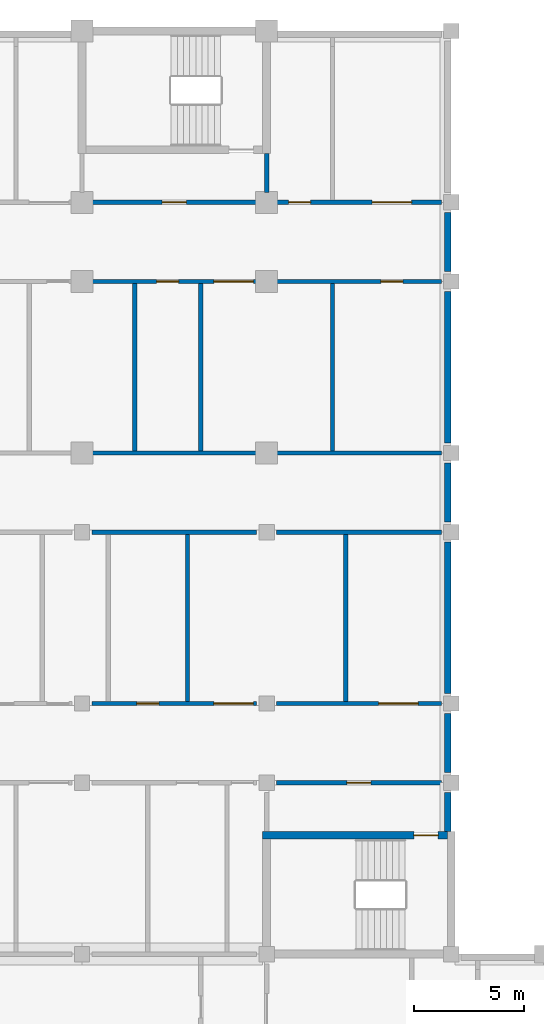
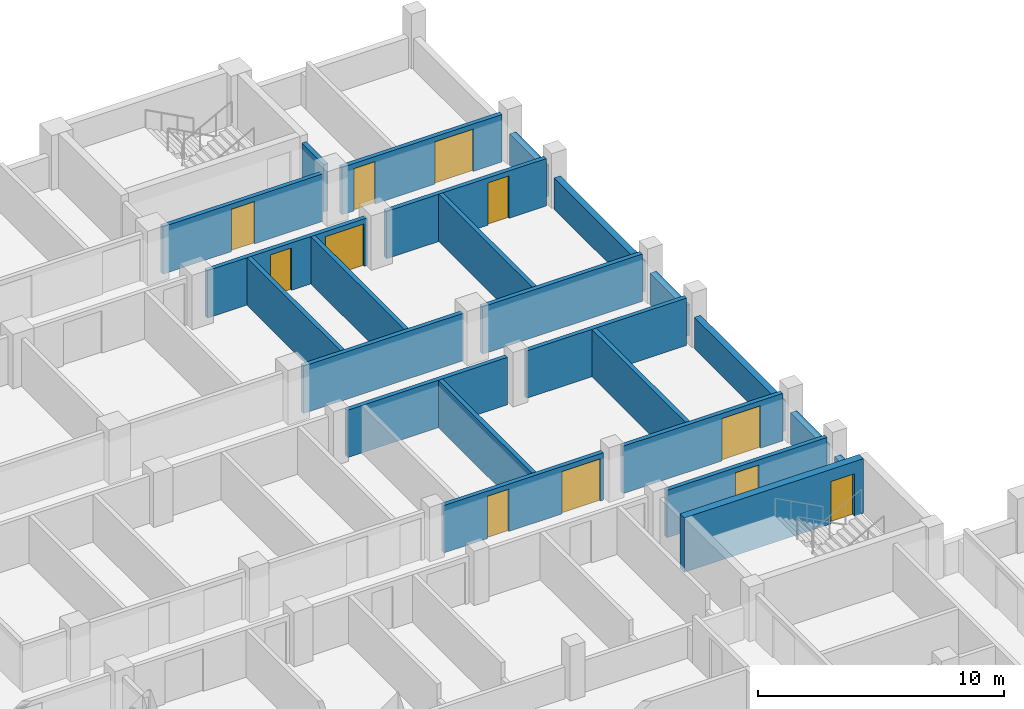
# One storey, part 60 of 89: 24 walls, 11 doors, 11 openings.
"""IFC4 building model written with IfcOpenShell, lengths in metres."""

from ifc_helpers import new_model, si_unit, direction, frame, frame_2d, origin, place, context, subcontext, project, spatial, rectangle, extrude, material, layer, layer_set, type_object, element, fill, save


model = new_model("IFC4")

# Units and contexts
model_context = context("Model", 3, precision=1e-05, world=origin(), true_north=direction((0.0, 1.0)))
body_context = subcontext(model_context, "Body", "Model", "MODEL_VIEW")
ifc_project = project(units=[si_unit("LENGTHUNIT", "METRE"), si_unit("AREAUNIT", "SQUARE_METRE"), si_unit("VOLUMEUNIT", "CUBIC_METRE"), si_unit("PLANEANGLEUNIT", "RADIAN"), si_unit("MASSUNIT", "GRAM", prefix="KILO")], contexts=[model_context])

# Site, building, storey
site_placement = place(None, origin())
site = spatial("IfcSite", under=ifc_project, at=site_placement, CompositionType="ELEMENT")
building_placement = place(site_placement, origin())
building = spatial("IfcBuilding", under=site, at=building_placement, Name="Bougainvillea Quay General Hospital", CompositionType="ELEMENT")
storey_placement = place(building_placement, frame((0.0, 0.0, 9.89990234375)))
storey = spatial("IfcBuildingStorey", under=building, at=storey_placement, Name="L01M", CompositionType="ELEMENT", Elevation=9.89990234375)

# Walls
ifc_material_1 = material(Name="Pale stone rainscreen cladding on insulated masonry backing, pale stone", Category="masonry")
ifc_layer_1 = layer(ifc_material_1, 0.300048828125)
ifc_layer_set_1 = layer_set([ifc_layer_1], Name="Pale stone rainscreen cladding on insulated masonry backing, pale stone")
wall_type_1 = type_object("IfcWallType", Name="External wall pale stone rainscreen 300", PredefinedType="STANDARD", material=ifc_layer_set_1)
wall_1_placement = place(storey_placement, frame((193.050048828125, 125.85009765625, 0.0), z_axis=(0.0, 0.0, 1.0), x_axis=(0.0, 1.0, 0.0)))
element("IfcWall", 1, at=wall_1_placement, inside=storey, type_object=wall_type_1, Name="External wall wall/V4/L01M/p0/00b", PredefinedType="STANDARD", context=body_context, shape_type="SweptSolid", body=[
    extrude(rectangle(XDim=2.699951171875, YDim=0.300048828125, at=frame_2d((1.35009765625, 0.0))), origin(), (0.0, 0.0, 1.0), 1.550048828125),
])
wall_2_placement = place(storey_placement, frame((193.050048828125, 129.449951171875, 0.0), z_axis=(0.0, 0.0, 1.0), x_axis=(0.0, 1.0, 0.0)))
element("IfcWall", 2, at=wall_2_placement, inside=storey, type_object=wall_type_1, Name="External wall wall/V4/L01M/p0/00c", PredefinedType="STANDARD", context=body_context, shape_type="SweptSolid", body=[
    extrude(rectangle(XDim=6.900146484375, YDim=0.300048828125, at=frame_2d((3.4501953125, 0.0))), origin(), (0.0, 0.0, 1.0), 1.550048828125),
])
wall_3_placement = place(storey_placement, frame((193.050048828125, 137.25, 0.0), z_axis=(0.0, 0.0, 1.0), x_axis=(0.0, 1.0, 0.0)))
element("IfcWall", 3, at=wall_3_placement, inside=storey, type_object=wall_type_1, Name="External wall wall/V4/L01M/p0/00d", PredefinedType="STANDARD", context=body_context, shape_type="SweptSolid", body=[
    extrude(rectangle(XDim=2.699951171875, YDim=0.300048828125, at=frame_2d((1.35009765625, 0.0))), origin(), (0.0, 0.0, 1.0), 1.550048828125),
])
wall_4_placement = place(storey_placement, frame((193.050048828125, 140.85009765625, 0.0), z_axis=(0.0, 0.0, 1.0), x_axis=(0.0, 1.0, 0.0)))
element("IfcWall", 4, at=wall_4_placement, inside=storey, type_object=wall_type_1, Name="External wall wall/V4/L01M/p0/00e", PredefinedType="STANDARD", context=body_context, shape_type="SweptSolid", body=[
    extrude(rectangle(XDim=6.89990234375, YDim=0.300048828125, at=frame_2d((3.449951171875, 0.0))), origin(), (0.0, 0.0, 1.0), 1.550048828125),
])
wall_5_placement = place(storey_placement, frame((193.050048828125, 148.64990234375, 0.0), z_axis=(0.0, 0.0, 1.0), x_axis=(0.0, 1.0, 0.0)))
element("IfcWall", 5, at=wall_5_placement, inside=storey, type_object=wall_type_1, Name="External wall wall/V4/L01M/p0/00f", PredefinedType="STANDARD", context=body_context, shape_type="SweptSolid", body=[
    extrude(rectangle(XDim=2.7001953125, YDim=0.300048828125, at=frame_2d((1.35009765625, 0.0))), origin(), (0.0, 0.0, 1.0), 1.550048828125),
])
ifc_material_2 = material(Name="Terracotta rainscreen cladding on insulated masonry backing, terracotta", Category="masonry")
ifc_layer_2 = layer(ifc_material_2, 0.300048828125)
ifc_layer_set_2 = layer_set([ifc_layer_2], Name="Terracotta rainscreen cladding on insulated masonry backing, terracotta")
wall_type_2 = type_object("IfcWallType", Name="External wall terracotta rainscreen 300", PredefinedType="STANDARD", material=ifc_layer_set_2)
wall_6_placement = place(storey_placement, frame((193.050048828125, 123.175048828125, 0.0), z_axis=(0.0, 0.0, 1.0), x_axis=(0.0, 1.0, 0.0)))
element("IfcWall", 6, at=wall_6_placement, inside=storey, type_object=wall_type_2, Name="External wall wall/V4/L01M/p0/00a", PredefinedType="STANDARD", context=body_context, shape_type="SweptSolid", body=[
    extrude(rectangle(XDim=1.77490234375, YDim=0.300048828125, at=frame_2d((0.887451171875, 0.0))), origin(), (0.0, 0.0, 1.0), 1.550048828125),
])

# Wall, openings, doors
ifc_material_3 = material(Name="Fire-rated autoclaved aerated block wall, plastered")
ifc_layer_3 = layer(ifc_material_3, 0.199951171875)
ifc_layer_set_3 = layer_set([ifc_layer_3], Name="Fire-rated autoclaved aerated block wall, plastered")
wall_type_3 = type_object("IfcWallType", Name="Partition 200 Fire-rated autoclaved aerated block wall EI 120", PredefinedType="SOLIDWALL", material=ifc_layer_set_3)
wall_7_placement = place(storey_placement, frame((192.75, 151.800048828125, 0.0), z_axis=(0.0, 0.0, 1.0), x_axis=(-1.0, 0.0, 0.0)))
wall_7 = element("IfcWall", 7, at=wall_7_placement, inside=storey, type_object=wall_type_3, Name="Partition 200 mm EI 120", PredefinedType="SOLIDWALL", context=body_context, shape_type="SweptSolid", body=[
    extrude(rectangle(XDim=7.5, YDim=0.199951171875, at=frame_2d((3.75, 0.0))), origin(), (0.0, 0.0, 1.0), 2.35009765625),
])
opening_1_placement = place(wall_7_placement, frame((5.949951171875, 0.0, 0.0)))
opening_1 = element("IfcOpeningElement", 8, at=opening_1_placement, cuts=wall_7, Name="Opening L01M.165", PredefinedType="OPENING", context=body_context, shape_type="SweptSolid", body=[
    extrude(rectangle(XDim=1.0, YDim=2.10009765625, at=frame_2d((0.5, 1.050048828125))), frame((0.0, 0.10986328125, 0.0), z_axis=(0.0, -1.0, 0.0), x_axis=(1.0, 0.0, 0.0)), (0.0, 0.0, 1.0), 0.219970703125),
])
opening_2_placement = place(wall_7_placement, frame((1.35009765625, 0.0, 0.0)))
opening_2 = element("IfcOpeningElement", 9, at=opening_2_placement, cuts=wall_7, Name="Opening L01M.166", PredefinedType="OPENING", context=body_context, shape_type="SweptSolid", body=[
    extrude(rectangle(XDim=1.800048828125, YDim=2.10009765625, at=frame_2d((0.89990234375, 1.050048828125))), frame((0.0, 0.10986328125, 0.0), z_axis=(0.0, -1.0, 0.0), x_axis=(1.0, 0.0, 0.0)), (0.0, 0.0, 1.0), 0.219970703125),
])
ifc_material_4 = material(Name="Steel fire door leaves in steel frame", Category="steel")
door_type_1 = type_object("IfcDoorType", Name="Steel double leaf door 1800x2100 FD90", OperationType="DOUBLE_DOOR_SINGLE_SWING", PredefinedType="DOOR", material=ifc_material_4)
door_1_placement = place(opening_2_placement, frame((1.800048828125, 0.0, 0.0), z_axis=(0.0, 0.0, 1.0), x_axis=(-1.0, 0.0, 0.0)))
door_1 = element("IfcDoor", 10, at=door_1_placement, inside=storey, type_object=door_type_1, Name="DT03 L01M.166", OperationType="DOUBLE_DOOR_SINGLE_SWING", OverallHeight=2.10009765625, OverallWidth=1.800048828125, PredefinedType="DOOR", context=body_context, shape_type="SweptSolid", body=[
    extrude(rectangle(XDim=1.800048828125, YDim=2.10009765625, at=frame_2d((0.89990234375, 1.050048828125))), frame((0.0, 0.02490234375, 0.0), z_axis=(0.0, -1.0, 0.0), x_axis=(1.0, 0.0, 0.0)), (0.0, 0.0, 1.0), 0.050048828125),
])
fill(opening_2, door_1)
ifc_material_5 = material(Name="Steel fire door leaf in steel frame", Category="steel")
door_type_2 = type_object("IfcDoorType", Name="Steel single leaf door 1000x2100 FD90", OperationType="NOTDEFINED", PredefinedType="DOOR", material=ifc_material_5)
door_2_placement = place(opening_1_placement, frame((1.0, 0.0, 0.0), z_axis=(0.0, 0.0, 1.0), x_axis=(-1.0, 0.0, 0.0)))
door_2 = element("IfcDoor", 11, at=door_2_placement, inside=storey, type_object=door_type_2, Name="DT11 L01M.165", OperationType="SINGLE_SWING_LEFT", OverallHeight=2.10009765625, OverallWidth=1.0, PredefinedType="DOOR", context=body_context, shape_type="SweptSolid", body=[
    extrude(rectangle(XDim=1.0, YDim=2.10009765625, at=frame_2d((0.5, 1.050048828125))), frame((0.0, 0.02490234375, 0.0), z_axis=(0.0, -1.0, 0.0), x_axis=(1.0, 0.0, 0.0)), (0.0, 0.0, 1.0), 0.050048828125),
])
fill(opening_1, door_2)

# Wall, opening, door
wall_8_placement = place(storey_placement, frame((184.35009765625, 151.800048828125, 0.0), z_axis=(0.0, 0.0, 1.0), x_axis=(-1.0, 0.0, 0.0)))
wall_8 = element("IfcWall", 12, at=wall_8_placement, inside=storey, type_object=wall_type_3, Name="Partition 200 mm EI 120", PredefinedType="SOLIDWALL", context=body_context, shape_type="SweptSolid", body=[
    extrude(rectangle(XDim=7.5, YDim=0.199951171875, at=frame_2d((3.75, 0.0))), origin(), (0.0, 0.0, 1.0), 2.35009765625),
])
opening_3_placement = place(wall_8_placement, frame((3.199951171875, 0.0, 0.0)))
opening_3 = element("IfcOpeningElement", 13, at=opening_3_placement, cuts=wall_8, Name="Opening L01M.034", PredefinedType="OPENING", context=body_context, shape_type="SweptSolid", body=[
    extrude(rectangle(XDim=1.10009765625, YDim=2.10009765625, at=frame_2d((0.550048828125, 1.050048828125))), frame((0.0, 0.10986328125, 0.0), z_axis=(0.0, -1.0, 0.0), x_axis=(1.0, 0.0, 0.0)), (0.0, 0.0, 1.0), 0.219970703125),
])
door_type_3 = type_object("IfcDoorType", Name="Steel single leaf door 1100x2100 FD60", OperationType="NOTDEFINED", PredefinedType="DOOR", material=ifc_material_5)
door_3_placement = place(opening_3_placement, frame((1.10009765625, 0.0, 0.0), z_axis=(0.0, 0.0, 1.0), x_axis=(-1.0, 0.0, 0.0)))
door_3 = element("IfcDoor", 14, at=door_3_placement, inside=storey, type_object=door_type_3, Name="DT04 L01M.034", OperationType="SINGLE_SWING_RIGHT", OverallHeight=2.10009765625, OverallWidth=1.10009765625, PredefinedType="DOOR", context=body_context, shape_type="SweptSolid", body=[
    extrude(rectangle(XDim=1.10009765625, YDim=2.10009765625, at=frame_2d((0.550048828125, 1.050048828125))), frame((0.0, 0.02490234375, 0.0), z_axis=(0.0, -1.0, 0.0), x_axis=(1.0, 0.0, 0.0)), (0.0, 0.0, 1.0), 0.050048828125),
])
fill(opening_3, door_3)

wall_9_placement = place(storey_placement, frame((192.75, 148.199951171875, 0.0), z_axis=(0.0, 0.0, 1.0), x_axis=(-1.0, 0.0, 0.0)))
wall_9 = element("IfcWall", 15, at=wall_9_placement, inside=storey, type_object=wall_type_3, Name="Partition 200 mm EI 120", PredefinedType="SOLIDWALL", context=body_context, shape_type="SweptSolid", body=[
    extrude(rectangle(XDim=7.5, YDim=0.199951171875, at=frame_2d((3.75, 0.0))), origin(), (0.0, 0.0, 1.0), 2.35009765625),
])
opening_4_placement = place(wall_9_placement, frame((1.75, 0.0, 0.0)))
opening_4 = element("IfcOpeningElement", 16, at=opening_4_placement, cuts=wall_9, Name="Opening L01M.160", PredefinedType="OPENING", context=body_context, shape_type="SweptSolid", body=[
    extrude(rectangle(XDim=1.0, YDim=2.10009765625, at=frame_2d((0.5, 1.050048828125))), frame((0.0, 0.10986328125, 0.0), z_axis=(0.0, -1.0, 0.0), x_axis=(1.0, 0.0, 0.0)), (0.0, 0.0, 1.0), 0.219970703125),
])
door_4_placement = place(opening_4_placement, origin())
door_4 = element("IfcDoor", 17, at=door_4_placement, inside=storey, type_object=door_type_2, Name="DT11 L01M.160", OperationType="SINGLE_SWING_LEFT", OverallHeight=2.10009765625, OverallWidth=1.0, PredefinedType="DOOR", context=body_context, shape_type="SweptSolid", body=[
    extrude(rectangle(XDim=1.0, YDim=2.10009765625, at=frame_2d((0.5, 1.050048828125))), frame((0.0, 0.02490234375, 0.0), z_axis=(0.0, -1.0, 0.0), x_axis=(1.0, 0.0, 0.0)), (0.0, 0.0, 1.0), 0.050048828125),
])
fill(opening_4, door_4)

# Wall, openings, doors
wall_10_placement = place(storey_placement, frame((184.35009765625, 148.199951171875, 0.0), z_axis=(0.0, 0.0, 1.0), x_axis=(-1.0, 0.0, 0.0)))
wall_10 = element("IfcWall", 18, at=wall_10_placement, inside=storey, type_object=wall_type_3, Name="Partition 200 mm EI 120", PredefinedType="SOLIDWALL", context=body_context, shape_type="SweptSolid", body=[
    extrude(rectangle(XDim=7.5, YDim=0.199951171875, at=frame_2d((3.75, 0.0))), origin(), (0.0, 0.0, 1.0), 2.35009765625),
])
opening_5_placement = place(wall_10_placement, frame((3.550048828125, 0.0, 0.0)))
opening_5 = element("IfcOpeningElement", 19, at=opening_5_placement, cuts=wall_10, Name="Opening L01M.158", PredefinedType="OPENING", context=body_context, shape_type="SweptSolid", body=[
    extrude(rectangle(XDim=1.0, YDim=2.10009765625, at=frame_2d((0.5, 1.050048828125))), frame((0.0, 0.10986328125, 0.0), z_axis=(0.0, -1.0, 0.0), x_axis=(1.0, 0.0, 0.0)), (0.0, 0.0, 1.0), 0.219970703125),
])
opening_6_placement = place(wall_10_placement, frame((0.14990234375, 0.0, 0.0)))
opening_6 = element("IfcOpeningElement", 20, at=opening_6_placement, cuts=wall_10, Name="Opening L01M.159", PredefinedType="OPENING", context=body_context, shape_type="SweptSolid", body=[
    extrude(rectangle(XDim=1.800048828125, YDim=2.10009765625, at=frame_2d((0.89990234375, 1.050048828125))), frame((0.0, 0.10986328125, 0.0), z_axis=(0.0, -1.0, 0.0), x_axis=(1.0, 0.0, 0.0)), (0.0, 0.0, 1.0), 0.219970703125),
])
door_5_placement = place(opening_6_placement, origin())
door_5 = element("IfcDoor", 21, at=door_5_placement, inside=storey, type_object=door_type_1, Name="DT03 L01M.159", OperationType="DOUBLE_DOOR_SINGLE_SWING", OverallHeight=2.10009765625, OverallWidth=1.800048828125, PredefinedType="DOOR", context=body_context, shape_type="SweptSolid", body=[
    extrude(rectangle(XDim=1.800048828125, YDim=2.10009765625, at=frame_2d((0.89990234375, 1.050048828125))), frame((0.0, 0.02490234375, 0.0), z_axis=(0.0, -1.0, 0.0), x_axis=(1.0, 0.0, 0.0)), (0.0, 0.0, 1.0), 0.050048828125),
])
fill(opening_6, door_5)
door_6_placement = place(opening_5_placement, origin())
door_6 = element("IfcDoor", 22, at=door_6_placement, inside=storey, type_object=door_type_2, Name="DT11 L01M.158", OperationType="SINGLE_SWING_RIGHT", OverallHeight=2.10009765625, OverallWidth=1.0, PredefinedType="DOOR", context=body_context, shape_type="SweptSolid", body=[
    extrude(rectangle(XDim=1.0, YDim=2.10009765625, at=frame_2d((0.5, 1.050048828125))), frame((0.0, 0.02490234375, 0.0), z_axis=(0.0, -1.0, 0.0), x_axis=(1.0, 0.0, 0.0)), (0.0, 0.0, 1.0), 0.050048828125),
])
fill(opening_5, door_6)

# Wall, opening, door
wall_11_placement = place(storey_placement, frame((192.75, 125.39990234375, 0.0), z_axis=(0.0, 0.0, 1.0), x_axis=(-1.0, 0.0, 0.0)))
wall_11 = element("IfcWall", 23, at=wall_11_placement, inside=storey, type_object=wall_type_3, Name="Partition 200 mm EI 120", PredefinedType="SOLIDWALL", context=body_context, shape_type="SweptSolid", body=[
    extrude(rectangle(XDim=7.5, YDim=0.199951171875, at=frame_2d((3.75, 0.0))), origin(), (0.0, 0.0, 1.0), 2.35009765625),
])
opening_7_placement = place(wall_11_placement, frame((3.199951171875, 0.0, 0.0)))
opening_7 = element("IfcOpeningElement", 24, at=opening_7_placement, cuts=wall_11, Name="Opening L01M.042", PredefinedType="OPENING", context=body_context, shape_type="SweptSolid", body=[
    extrude(rectangle(XDim=1.10009765625, YDim=2.10009765625, at=frame_2d((0.550048828125, 1.050048828125))), frame((0.0, 0.10986328125, 0.0), z_axis=(0.0, -1.0, 0.0), x_axis=(1.0, 0.0, 0.0)), (0.0, 0.0, 1.0), 0.219970703125),
])
door_7_placement = place(opening_7_placement, origin())
door_7 = element("IfcDoor", 25, at=door_7_placement, inside=storey, type_object=door_type_3, Name="DT04 L01M.042", OperationType="SINGLE_SWING_RIGHT", OverallHeight=2.10009765625, OverallWidth=1.10009765625, PredefinedType="DOOR", context=body_context, shape_type="SweptSolid", body=[
    extrude(rectangle(XDim=1.10009765625, YDim=2.10009765625, at=frame_2d((0.550048828125, 1.050048828125))), frame((0.0, 0.02490234375, 0.0), z_axis=(0.0, -1.0, 0.0), x_axis=(1.0, 0.0, 0.0)), (0.0, 0.0, 1.0), 0.050048828125),
])
fill(opening_7, door_7)

wall_12_placement = place(storey_placement, frame((192.75, 129.0, 0.0), z_axis=(0.0, 0.0, 1.0), x_axis=(-1.0, 0.0, 0.0)))
wall_12 = element("IfcWall", 26, at=wall_12_placement, inside=storey, type_object=wall_type_3, Name="Partition 200 mm EI 120", PredefinedType="SOLIDWALL", context=body_context, shape_type="SweptSolid", body=[
    extrude(rectangle(XDim=7.5, YDim=0.199951171875, at=frame_2d((3.75, 0.0))), origin(), (0.0, 0.0, 1.0), 2.35009765625),
])
opening_8_placement = place(wall_12_placement, frame((1.050048828125, 0.0, 0.0)))
opening_8 = element("IfcOpeningElement", 27, at=opening_8_placement, cuts=wall_12, Name="Opening L01M.128", PredefinedType="OPENING", context=body_context, shape_type="SweptSolid", body=[
    extrude(rectangle(XDim=1.800048828125, YDim=2.10009765625, at=frame_2d((0.89990234375, 1.050048828125))), frame((0.0, 0.10986328125, 0.0), z_axis=(0.0, -1.0, 0.0), x_axis=(1.0, 0.0, 0.0)), (0.0, 0.0, 1.0), 0.219970703125),
])
door_8_placement = place(opening_8_placement, frame((1.800048828125, 0.0, 0.0), z_axis=(0.0, 0.0, 1.0), x_axis=(-1.0, 0.0, 0.0)))
door_8 = element("IfcDoor", 28, at=door_8_placement, inside=storey, type_object=door_type_1, Name="DT03 L01M.128", OperationType="DOUBLE_DOOR_SINGLE_SWING", OverallHeight=2.10009765625, OverallWidth=1.800048828125, PredefinedType="DOOR", context=body_context, shape_type="SweptSolid", body=[
    extrude(rectangle(XDim=1.800048828125, YDim=2.10009765625, at=frame_2d((0.89990234375, 1.050048828125))), frame((0.0, 0.02490234375, 0.0), z_axis=(0.0, -1.0, 0.0), x_axis=(1.0, 0.0, 0.0)), (0.0, 0.0, 1.0), 0.050048828125),
])
fill(opening_8, door_8)

# Wall, openings, doors
wall_13_placement = place(storey_placement, frame((184.35009765625, 129.0, 0.0), z_axis=(0.0, 0.0, 1.0), x_axis=(-1.0, 0.0, 0.0)))
wall_13 = element("IfcWall", 29, at=wall_13_placement, inside=storey, type_object=wall_type_3, Name="Partition 200 mm EI 120", PredefinedType="SOLIDWALL", context=body_context, shape_type="SweptSolid", body=[
    extrude(rectangle(XDim=7.5, YDim=0.199951171875, at=frame_2d((3.75, 0.0))), origin(), (0.0, 0.0, 1.0), 2.35009765625),
])
opening_9_placement = place(wall_13_placement, frame((4.449951171875, 0.0, 0.0)))
opening_9 = element("IfcOpeningElement", 30, at=opening_9_placement, cuts=wall_13, Name="Opening L01M.126", PredefinedType="OPENING", context=body_context, shape_type="SweptSolid", body=[
    extrude(rectangle(XDim=1.0, YDim=2.10009765625, at=frame_2d((0.5, 1.050048828125))), frame((0.0, 0.10986328125, 0.0), z_axis=(0.0, -1.0, 0.0), x_axis=(1.0, 0.0, 0.0)), (0.0, 0.0, 1.0), 0.219970703125),
])
opening_10_placement = place(wall_13_placement, frame((0.14990234375, 0.0, 0.0)))
opening_10 = element("IfcOpeningElement", 31, at=opening_10_placement, cuts=wall_13, Name="Opening L01M.127", PredefinedType="OPENING", context=body_context, shape_type="SweptSolid", body=[
    extrude(rectangle(XDim=1.800048828125, YDim=2.10009765625, at=frame_2d((0.89990234375, 1.050048828125))), frame((0.0, 0.10986328125, 0.0), z_axis=(0.0, -1.0, 0.0), x_axis=(1.0, 0.0, 0.0)), (0.0, 0.0, 1.0), 0.219970703125),
])
door_9_placement = place(opening_10_placement, frame((1.800048828125, 0.0, 0.0), z_axis=(0.0, 0.0, 1.0), x_axis=(-1.0, 0.0, 0.0)))
door_9 = element("IfcDoor", 32, at=door_9_placement, inside=storey, type_object=door_type_1, Name="DT03 L01M.127", OperationType="DOUBLE_DOOR_SINGLE_SWING", OverallHeight=2.10009765625, OverallWidth=1.800048828125, PredefinedType="DOOR", context=body_context, shape_type="SweptSolid", body=[
    extrude(rectangle(XDim=1.800048828125, YDim=2.10009765625, at=frame_2d((0.89990234375, 1.050048828125))), frame((0.0, 0.02490234375, 0.0), z_axis=(0.0, -1.0, 0.0), x_axis=(1.0, 0.0, 0.0)), (0.0, 0.0, 1.0), 0.050048828125),
])
fill(opening_10, door_9)
door_10_placement = place(opening_9_placement, frame((1.0, 0.0, 0.0), z_axis=(0.0, 0.0, 1.0), x_axis=(-1.0, 0.0, 0.0)))
door_10 = element("IfcDoor", 33, at=door_10_placement, inside=storey, type_object=door_type_2, Name="DT11 L01M.126", OperationType="SINGLE_SWING_LEFT", OverallHeight=2.10009765625, OverallWidth=1.0, PredefinedType="DOOR", context=body_context, shape_type="SweptSolid", body=[
    extrude(rectangle(XDim=1.0, YDim=2.10009765625, at=frame_2d((0.5, 1.050048828125))), frame((0.0, 0.02490234375, 0.0), z_axis=(0.0, -1.0, 0.0), x_axis=(1.0, 0.0, 0.0)), (0.0, 0.0, 1.0), 0.050048828125),
])
fill(opening_9, door_10)

# Walls
for number, where, z_axis, x_axis, name in (
    (34, (192.75, 136.800048828125, 0.0), (0.0, 0.0, 1.0), (-1.0, 0.0, 0.0), "Partition 200 mm EI 120"),
    (35, (184.35009765625, 136.800048828125, 0.0), (0.0, 0.0, 1.0), (-1.0, 0.0, 0.0), "Partition 200 mm EI 120"),
    (36, (192.75, 140.39990234375, 0.0), (0.0, 0.0, 1.0), (-1.0, 0.0, 0.0), "Partition 200 mm EI 120"),
    (37, (184.35009765625, 140.39990234375, 0.0), (0.0, 0.0, 1.0), (-1.0, 0.0, 0.0), "Partition 200 mm EI 120"),
):
    element("IfcWall", number, at=place(storey_placement, frame(where, z_axis=z_axis, x_axis=x_axis)), inside=storey, type_object=wall_type_3, Name=name, PredefinedType="SOLIDWALL", context=body_context, shape_type="SweptSolid", body=[
        extrude(rectangle(XDim=7.5, YDim=0.199951171875, at=frame_2d((3.75, 0.0))), origin(), (0.0, 0.0, 1.0), 2.35009765625),
    ])
wall_14_placement = place(storey_placement, frame((184.800048828125, 152.25, 0.0), z_axis=(0.0, 0.0, 1.0), x_axis=(0.0, 1.0, 0.0)))
element("IfcWall", 38, at=wall_14_placement, inside=storey, type_object=wall_type_3, Name="Partition 200 mm EI 120", PredefinedType="SOLIDWALL", context=body_context, shape_type="SweptSolid", body=[
    extrude(rectangle(XDim=1.77490234375, YDim=0.199951171875, at=frame_2d((0.887451171875, 0.0))), origin(), (0.0, 0.0, 1.0), 2.35009765625),
])
for number, where, z_axis, x_axis, name in (
    (39, (181.199951171875, 129.10009765625, 0.0), (0.0, 0.0, 1.0), (0.0, 1.0, 0.0), "Partition 200 mm EI 120"),
    (40, (188.39990234375, 129.10009765625, 0.0), (0.0, 0.0, 1.0), (0.0, 1.0, 0.0), "Partition 200 mm EI 120"),
):
    element("IfcWall", number, at=place(storey_placement, frame(where, z_axis=z_axis, x_axis=x_axis)), inside=storey, type_object=wall_type_3, Name=name, PredefinedType="SOLIDWALL", context=body_context, shape_type="SweptSolid", body=[
        extrude(rectangle(XDim=7.599853515625, YDim=0.199951171875, at=frame_2d((3.7998046875, 0.0))), origin(), (0.0, 0.0, 1.0), 2.35009765625),
    ])
for number, where, z_axis, x_axis, name in (
    (41, (178.800048828125, 140.5, 0.0), (0.0, 0.0, 1.0), (0.0, 1.0, 0.0), "Partition 200 mm EI 120"),
    (42, (181.800048828125, 140.5, 0.0), (0.0, 0.0, 1.0), (0.0, 1.0, 0.0), "Partition 200 mm EI 120"),
    (43, (187.800048828125, 140.5, 0.0), (0.0, 0.0, 1.0), (0.0, 1.0, 0.0), "Partition 200 mm EI 120"),
):
    element("IfcWall", number, at=place(storey_placement, frame(where, z_axis=z_axis, x_axis=x_axis)), inside=storey, type_object=wall_type_3, Name=name, PredefinedType="SOLIDWALL", context=body_context, shape_type="SweptSolid", body=[
        extrude(rectangle(XDim=7.60009765625, YDim=0.199951171875, at=frame_2d((3.800048828125, 0.0))), origin(), (0.0, 0.0, 1.0), 2.35009765625),
    ])

# Wall, opening, door
ifc_material_6 = material(Name="Concrete C40", Category="concrete")
ifc_layer_4 = layer(ifc_material_6, 0.35009765625)
ifc_layer_set_4 = layer_set([ifc_layer_4], Name="Concrete C40")
wall_type_4 = type_object("IfcWallType", Name="RC SHEAR WALL 350 C40", PredefinedType="SHEAR", material=ifc_layer_set_4)
wall_15_placement = place(storey_placement, frame((184.625, 123.0, 0.0), z_axis=(0.0, 0.0, 1.0), x_axis=(1.0, 0.0, 0.0)))
wall_15 = element("IfcWall", 44, at=wall_15_placement, inside=storey, type_object=wall_type_4, Name="Shear wall L01M", PredefinedType="SHEAR", context=body_context, shape_type="SweptSolid", body=[
    extrude(rectangle(XDim=8.39990234375, YDim=0.35009765625, at=frame_2d((4.199951171875, 0.0))), origin(), (0.0, 0.0, 1.0), 2.7001953125),
])
opening_11_placement = place(wall_15_placement, frame((6.875, 0.0, 0.0)))
opening_11 = element("IfcOpeningElement", 45, at=opening_11_placement, cuts=wall_15, Name="Opening L01M.028", PredefinedType="OPENING", context=body_context, shape_type="SweptSolid", body=[
    extrude(rectangle(XDim=1.10009765625, YDim=2.10009765625, at=frame_2d((0.550048828125, 1.050048828125))), frame((0.0, 0.18505859375, 0.0), z_axis=(0.0, -1.0, 0.0), x_axis=(1.0, 0.0, 0.0)), (0.0, 0.0, 1.0), 0.3701171875),
])
door_11_placement = place(opening_11_placement, frame((1.10009765625, 0.0, 0.0), z_axis=(0.0, 0.0, 1.0), x_axis=(-1.0, 0.0, 0.0)))
door_11 = element("IfcDoor", 46, at=door_11_placement, inside=storey, type_object=door_type_3, Name="DT04 L01M.028", OperationType="SINGLE_SWING_LEFT", OverallHeight=2.10009765625, OverallWidth=1.10009765625, PredefinedType="DOOR", context=body_context, shape_type="SweptSolid", body=[
    extrude(rectangle(XDim=1.10009765625, YDim=2.10009765625, at=frame_2d((0.550048828125, 1.050048828125))), frame((0.0, 0.02490234375, 0.0), z_axis=(0.0, -1.0, 0.0), x_axis=(1.0, 0.0, 0.0)), (0.0, 0.0, 1.0), 0.050048828125),
])
fill(opening_11, door_11)

save(model, "model.ifc")
